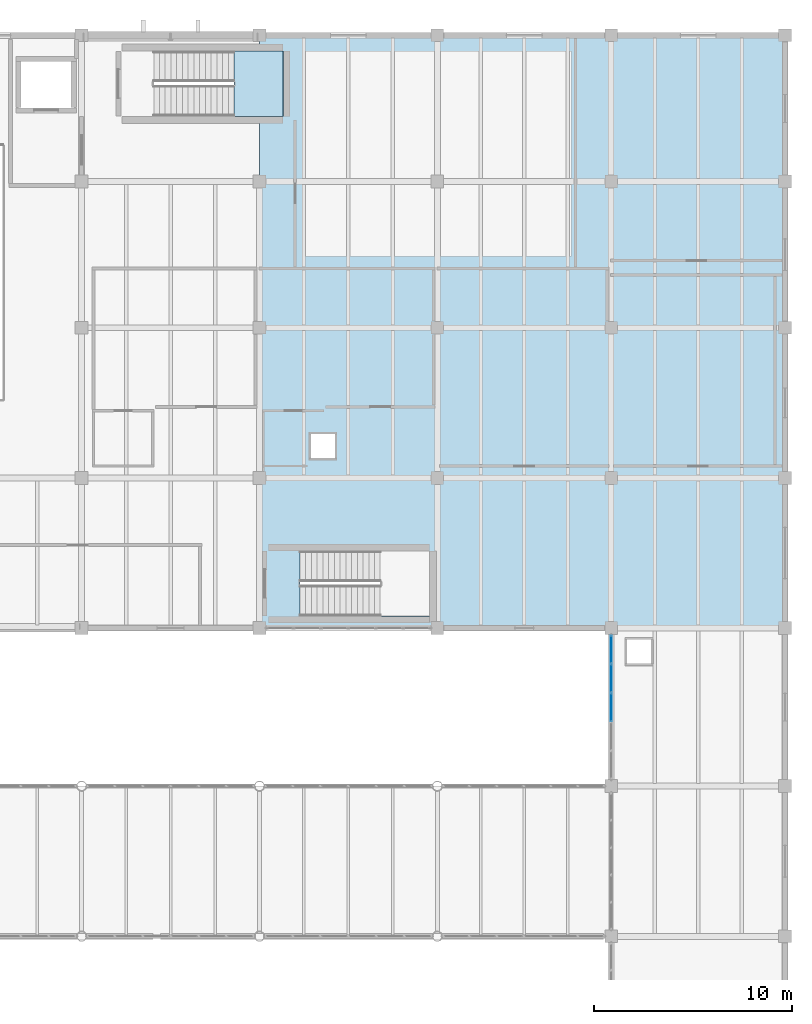
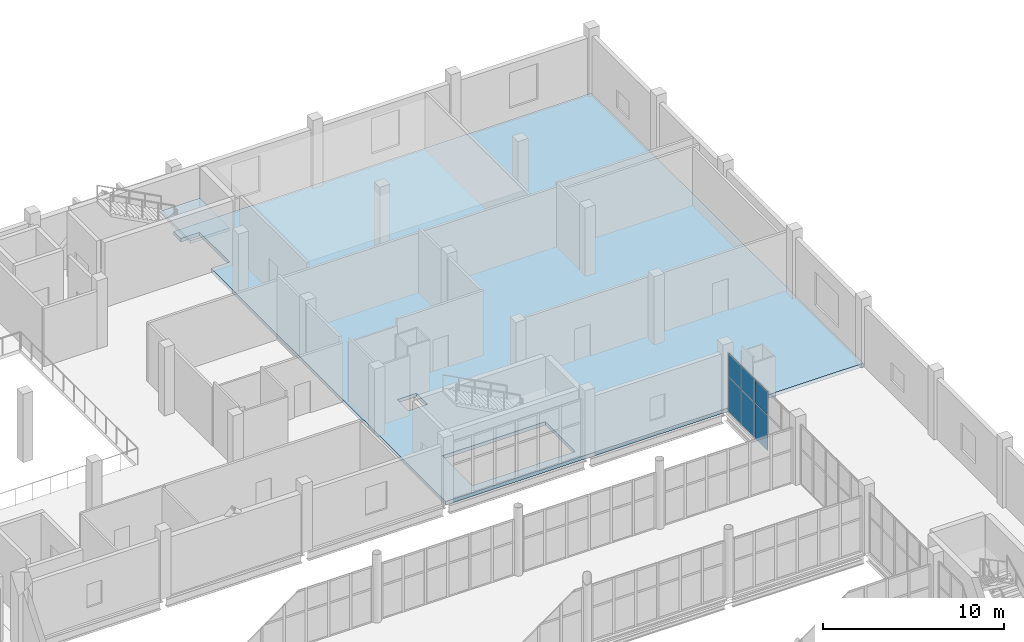
# One storey, part 141 of 172: 6 plates, 2 slabs, 2 elements without a shape of their own.
"""IFC4 building model written with IfcOpenShell, lengths in metres."""

from ifc_helpers import new_model, si_unit, direction, frame, origin, origin_2d, place, context, subcontext, project, spatial, polyline, rectangle, outline, extrude, material, layer, layer_set, type_object, element, aggregate, save


model = new_model("IFC4")

# Units and contexts
model_context = context("Model", 3, precision=1e-05, world=origin(), true_north=direction((0.0, 1.0)))
body_context = subcontext(model_context, "Body", "Model", "MODEL_VIEW")
ifc_project = project(units=[si_unit("LENGTHUNIT", "METRE"), si_unit("AREAUNIT", "SQUARE_METRE"), si_unit("VOLUMEUNIT", "CUBIC_METRE"), si_unit("PLANEANGLEUNIT", "RADIAN"), si_unit("MASSUNIT", "GRAM", prefix="KILO")], contexts=[model_context])

# Site, building, storey
site_placement = place(None, origin())
site = spatial("IfcSite", under=ifc_project, at=site_placement, CompositionType="ELEMENT")
building_placement = place(site_placement, origin())
building = spatial("IfcBuilding", under=site, at=building_placement, Name="Shengluoqiao Park Theatre", CompositionType="ELEMENT")
storey_placement = place(building_placement, frame((0.0, 0.0, 5.39990234375)))
storey = spatial("IfcBuildingStorey", under=building, at=storey_placement, Name="L01", CompositionType="ELEMENT", Elevation=5.39990234375)

# Curtain wall, plates
ifc_material_1 = material(Name="Aluminium 6063-T6", Category="aluminium")
curtain_wall_type = type_object("IfcCurtainWallType", Name="ENV-CW-COURT", PredefinedType="NOTDEFINED", material=ifc_material_1)
curtain_wall_placement = place(storey_placement, origin())
curtain_wall = element("IfcCurtainWall", 1, at=curtain_wall_placement, inside=storey, type_object=curtain_wall_type, Name="L01 Curtain Wall CWX-L01-0188", PredefinedType="NOTDEFINED")
ifc_material_2 = material(Name="Insulated glass", Category="glass")
ifc_layer_1 = layer(ifc_material_2, 0.0380859375, Name="Insulated glass")
ifc_layer_set_1 = layer_set([ifc_layer_1], Name="Insulated glass")
plate_type = type_object("IfcPlateType", Name="ENV-GLZ-GL-38", PredefinedType="CURTAIN_PANEL", material=ifc_layer_set_1)
plate_1_placement = place(storey_placement, frame((157.199951171875, 80.0, 0.06005859375), z_axis=(0.0, 0.0, 1.0), x_axis=(0.0, 1.0, 0.0)))
plate_1 = element("IfcPlate", 2, at=plate_1_placement, type_object=plate_type, Name="CW-05 panel 3.1", PredefinedType="CURTAIN_PANEL", context=body_context, shape_type="SweptSolid", body=[
    extrude(rectangle(XDim=1.408447265625, YDim=0.0380859375, at=origin_2d()), origin(), (0.0, 0.0, 1.0), 2.3359375),
])
plate_2_placement = place(storey_placement, frame((157.199951171875, 80.0, 2.4560546875), z_axis=(0.0, 0.0, 1.0), x_axis=(0.0, 1.0, 0.0)))
plate_2 = element("IfcPlate", 3, at=plate_2_placement, type_object=plate_type, Name="CW-05 panel 3.2", PredefinedType="CURTAIN_PANEL", context=body_context, shape_type="SweptSolid", body=[
    extrude(rectangle(XDim=1.408447265625, YDim=0.0380859375, at=origin_2d()), origin(), (0.0, 0.0, 1.0), 1.528076171875),
])
plate_3_placement = place(storey_placement, frame((157.199951171875, 81.468505859375, 0.06005859375), z_axis=(0.0, 0.0, 1.0), x_axis=(0.0, 1.0, 0.0)))
plate_3 = element("IfcPlate", 4, at=plate_3_placement, type_object=plate_type, Name="CW-05 panel 4.1", PredefinedType="CURTAIN_PANEL", context=body_context, shape_type="SweptSolid", body=[
    extrude(rectangle(XDim=1.408447265625, YDim=0.0380859375, at=origin_2d()), origin(), (0.0, 0.0, 1.0), 2.3359375),
])
plate_4_placement = place(storey_placement, frame((157.199951171875, 81.468505859375, 2.4560546875), z_axis=(0.0, 0.0, 1.0), x_axis=(0.0, 1.0, 0.0)))
plate_4 = element("IfcPlate", 5, at=plate_4_placement, type_object=plate_type, Name="CW-05 panel 4.2", PredefinedType="CURTAIN_PANEL", context=body_context, shape_type="SweptSolid", body=[
    extrude(rectangle(XDim=1.408447265625, YDim=0.0380859375, at=origin_2d()), origin(), (0.0, 0.0, 1.0), 1.528076171875),
])
plate_5_placement = place(storey_placement, frame((157.199951171875, 82.921875, 0.06005859375), z_axis=(0.0, 0.0, 1.0), x_axis=(0.0, 1.0, 0.0)))
plate_5 = element("IfcPlate", 6, at=plate_5_placement, type_object=plate_type, Name="CW-05 panel 5.1", PredefinedType="CURTAIN_PANEL", context=body_context, shape_type="SweptSolid", body=[
    extrude(rectangle(XDim=1.37841796875, YDim=0.0380859375, at=origin_2d()), origin(), (0.0, 0.0, 1.0), 2.3359375),
])
plate_6_placement = place(storey_placement, frame((157.199951171875, 82.921875, 2.4560546875), z_axis=(0.0, 0.0, 1.0), x_axis=(0.0, 1.0, 0.0)))
plate_6 = element("IfcPlate", 7, at=plate_6_placement, type_object=plate_type, Name="CW-05 panel 5.2", PredefinedType="CURTAIN_PANEL", context=body_context, shape_type="SweptSolid", body=[
    extrude(rectangle(XDim=1.37841796875, YDim=0.0380859375, at=origin_2d()), origin(), (0.0, 0.0, 1.0), 1.528076171875),
])
aggregate(curtain_wall, [plate_1, plate_2, plate_3, plate_4, plate_5, plate_6])

# Stair, slab
ifc_material_3 = material(Name="Concrete C40", Category="concrete")
stair_type = type_object("IfcStairType", Name="INT-STR-CORE", PredefinedType="HALF_TURN_STAIR", material=ifc_material_3)
stair_placement = place(storey_placement, origin())
stair = element("IfcStair", 8, at=stair_placement, inside=storey, type_object=stair_type, Name="L01 Backstage and Workshop Escape Stair 06", PredefinedType="HALF_TURN_STAIR")
ifc_layer_2 = layer(ifc_material_3, 0.169921875, Name="Concrete C40")
ifc_layer_set_2 = layer_set([ifc_layer_2], Name="Concrete C40")
slab_type_1 = type_object("IfcSlabType", Name="INT-LND-SL-170", PredefinedType="LANDING", material=ifc_layer_set_2)
slab_1_placement = place(storey_placement, frame((0.0, 0.0, 2.10009765625)))
slab_1 = element("IfcSlab", 9, at=slab_1_placement, type_object=slab_type_1, Name="ST-06 landing 1", PredefinedType="LANDING", context=body_context, shape_type="SweptSolid", body=[
    extrude(outline(polyline([(138.110107421875, 109.89990234375), (140.60009765625, 109.89990234375), (140.60009765625, 113.199951171875), (138.110107421875, 113.199951171875), (138.110107421875, 109.89990234375)])), origin(), (0.0, 0.0, 1.0), 0.199951171875),
])
aggregate(stair, [slab_1])

# Slab
ifc_material_4 = material(Name="Concrete C35", Category="concrete")
ifc_layer_3 = layer(ifc_material_4, 0.239990234375, Name="Concrete C35")
ifc_layer_set_3 = layer_set([ifc_layer_3], Name="Concrete C35")
slab_type_2 = type_object("IfcSlabType", Name="STR-SLB-FL240", PredefinedType="FLOOR", material=ifc_layer_set_3)
slab_2_placement = place(storey_placement, frame((0.0, 0.0, -0.239990234375)))
element("IfcSlab", 10, at=slab_2_placement, inside=storey, type_object=slab_type_2, Name="Floor Slab L01-V6-NE2", PredefinedType="FLOOR", context=body_context, shape_type="SweptSolid", body=[
    extrude(outline(polyline([(139.39990234375, 114.0), (166.0, 114.0), (166.0, 84.0), (139.39990234375, 84.0), (139.39990234375, 109.89990234375), (140.60009765625, 109.89990234375), (140.60009765625, 113.199951171875), (139.39990234375, 113.199951171875), (139.39990234375, 114.0)]), holes=[polyline([(141.4541015625, 84.60009765625), (148.0, 84.60009765625), (148.0, 87.89990234375), (141.4541015625, 87.89990234375), (141.4541015625, 84.60009765625)]), polyline([(142.0, 92.60009765625), (143.219970703125, 92.60009765625), (143.219970703125, 93.820068359375), (142.0, 93.820068359375), (142.0, 92.60009765625)])]), origin(), (0.0, 0.0, 1.0), 0.239990234375),
])

save(model, "model.ifc")
